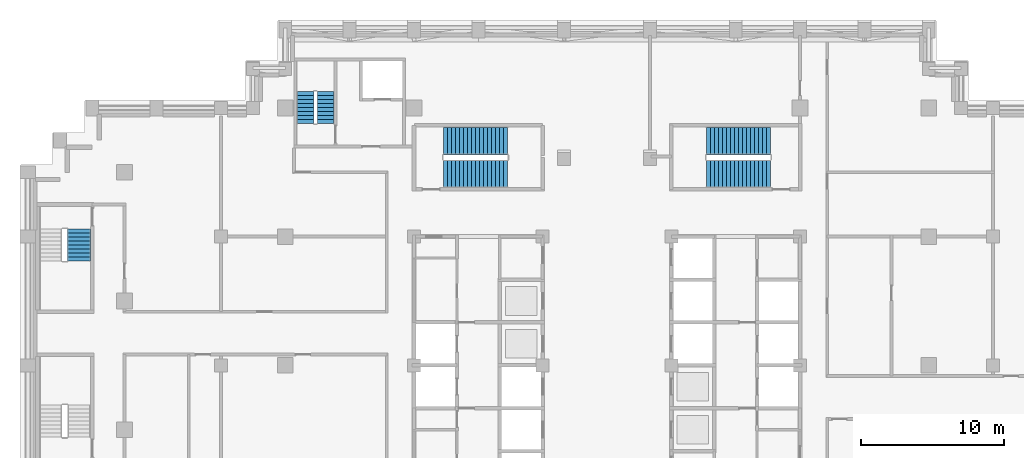
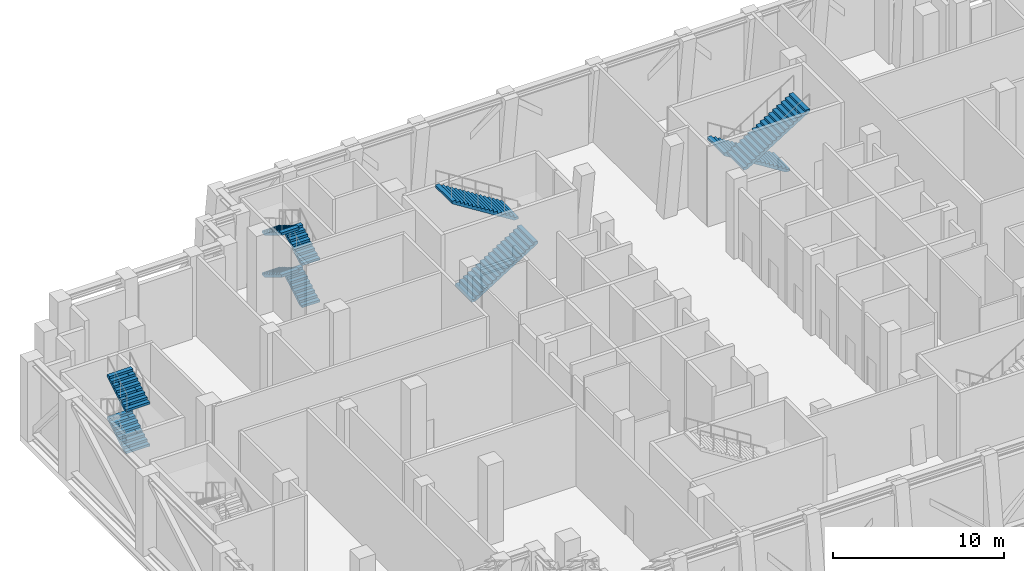
# One storey, part 10 of 14: 10 stair flights, 4 elements without a shape of their own.
"""IFC4 building model written with IfcOpenShell, lengths in metres."""

import ifcopenshell
import ifcopenshell.guid

model = None  # the IFC model being written
_history = None  # IfcOwnerHistory: only IFC2X3 demands one
_inside = {}  # id of a spatial element -> (the spatial element, [elements in it])
_under = {}  # id of a project, library or spatial element -> (it, [spatial elements below it])
_declared = {}  # id of a project -> (the project, [libraries it declares])
_typed = {}  # id of a type object -> (the type object, [elements of that type])
_made_of = {}  # id of a material, layer set ... -> (it, [elements and type objects made of it])


def new_model(schema):
    """Start an empty IFC model of exactly this schema.

    Asked for "IFC4X3", IfcOpenShell would pick the latest addendum, in which some entities
    have other attributes; the version numbers below select the first issue.
    IFC2X3 requires an IfcOwnerHistory on every rooted entity: one is made here for all.
    """
    global model, _history
    if schema == "IFC4X3":
        model = ifcopenshell.file(schema_version=(4, 3, 0, 0))
    else:
        model = ifcopenshell.file(schema=schema)
    _inside.clear()
    _under.clear()
    _declared.clear()
    _typed.clear()
    _made_of.clear()
    _history = None
    if model.schema == "IFC2X3":
        org = make("IfcOrganization", Name="unknown")
        user = make(
            "IfcPersonAndOrganization",
            ThePerson=make("IfcPerson", FamilyName="unknown"),
            TheOrganization=org,
        )
        app = make(
            "IfcApplication",
            ApplicationDeveloper=org,
            Version="unknown",
            ApplicationFullName="unknown",
            ApplicationIdentifier="unknown",
        )
        _history = make(
            "IfcOwnerHistory",
            OwningUser=user,
            OwningApplication=app,
            ChangeAction="ADDED",
            CreationDate=0,
        )
    return model


def make(cls, **values):
    """One entity of the class cls with the attributes given. An attribute that is None is left unset."""
    return model.create_entity(
        cls, **{name: value for name, value in values.items() if value is not None}
    )


def rooted(cls, **values):
    """An entity with a GlobalId (a new one), such as an element, a storey or a relation."""
    return make(cls, GlobalId=ifcopenshell.guid.new(), OwnerHistory=_history, **values)


def si_unit(unit_type, name, prefix=None):
    """IfcSIUnit, for example si_unit("LENGTHUNIT", "METRE", prefix="MILLI")."""
    return make("IfcSIUnit", UnitType=unit_type, Prefix=prefix, Name=name)


def assignment(units):
    """IfcUnitAssignment: the units of a project."""
    return None if units is None else make("IfcUnitAssignment", Units=units)


def point(xyz):
    """IfcCartesianPoint."""
    return None if xyz is None else make("IfcCartesianPoint", Coordinates=xyz)


def direction(xyz):
    """IfcDirection."""
    return None if xyz is None else make("IfcDirection", DirectionRatios=xyz)


def frame(location, z_axis=None, x_axis=None):
    """IfcAxis2Placement3D, a coordinate frame: its origin and axes. An axis left out is left unset."""
    return make(
        "IfcAxis2Placement3D",
        Location=point(location),
        Axis=direction(z_axis),
        RefDirection=direction(x_axis),
    )


def origin():
    """The frame at (0, 0, 0) with its axes left unset."""
    return frame((0.0, 0.0, 0.0))


def place(relative_to, where):
    """IfcLocalPlacement: puts the frame where relative to a parent placement (None: the world)."""
    return make(
        "IfcLocalPlacement", PlacementRelTo=relative_to, RelativePlacement=where
    )


def context(
    kind, dimensions, precision=None, world=None, true_north=None, identifier=None
):
    """IfcGeometricRepresentationContext, for example the 3D "Model" context."""
    return make(
        "IfcGeometricRepresentationContext",
        ContextIdentifier=identifier,
        ContextType=kind,
        CoordinateSpaceDimension=dimensions,
        Precision=precision,
        WorldCoordinateSystem=world,
        TrueNorth=true_north,
    )


def subcontext(parent, identifier, kind, view, scale=None):
    """IfcGeometricRepresentationSubContext, for example "Body" below "Model"."""
    return make(
        "IfcGeometricRepresentationSubContext",
        ContextIdentifier=identifier,
        ContextType=kind,
        ParentContext=parent,
        TargetScale=scale,
        TargetView=view,
    )


def project(units=None, contexts=None):
    """IfcProject with its units and contexts."""
    return rooted(
        "IfcProject",
        Name="project",
        RepresentationContexts=contexts,
        UnitsInContext=assignment(units),
    )


def spatial(cls, under=None, at=None, **own):
    """A site, building, storey or space (cls), placed at a placement, below another one or the project."""
    s = rooted(cls, ObjectPlacement=at, **own)
    if under is not None:
        _under.setdefault(under.id(), (under, []))[1].append(s)
    return s


def polyline(points):
    """IfcPolyline through the points."""
    return make("IfcPolyline", Points=[point(p) for p in points])


def outline(outer, holes=None, kind="AREA"):
    """IfcArbitraryClosedProfileDef: a profile drawn as a closed curve; with holes, ...WithVoids."""
    if holes is None:
        return make("IfcArbitraryClosedProfileDef", ProfileType=kind, OuterCurve=outer)
    return make(
        "IfcArbitraryProfileDefWithVoids",
        ProfileType=kind,
        OuterCurve=outer,
        InnerCurves=holes,
    )


def extrude(swept, where, along, depth):
    """IfcExtrudedAreaSolid: the profile swept, set in the frame where, extruded along a direction by depth."""
    return make(
        "IfcExtrudedAreaSolid",
        SweptArea=swept,
        Position=where,
        ExtrudedDirection=direction(along),
        Depth=depth,
    )


def shape(context_of_items, identifier, shape_type, items):
    """IfcShapeRepresentation: the items that make up one representation, for example the "Body"."""
    return make(
        "IfcShapeRepresentation",
        ContextOfItems=context_of_items,
        RepresentationIdentifier=identifier,
        RepresentationType=shape_type,
        Items=items,
    )


def material(Name=None, Category=None):
    """IfcMaterial."""
    return make("IfcMaterial", Name=Name, Category=Category)


def made_of(thing, what):
    """Note that an element or type object is made of a material, layer set ...; save() writes the relation."""
    if what is not None:
        _made_of.setdefault(what.id(), (what, []))[1].append(thing)
    return thing


def type_object(cls, material=None, **own):
    """A type object (cls), such as IfcWallType, which elements share."""
    return made_of(rooted(cls, **own), material)


def element(
    cls,
    number,
    at=None,
    inside=None,
    cuts=None,
    type_object=None,
    material=None,
    context=None,
    identifier="Body",
    shape_type=None,
    held_by="IfcProductDefinitionShape",
    body=None,
    shapes=None,
    **own,
):
    """One element of the class cls, such as IfcWall. Its Tag is "e" and its number.

    at: its placement. inside: the storey or other place that contains it. cuts: it is an
    opening in that element (IfcRelVoidsElement). A single representation is given by context,
    identifier, shape_type and body (its items); several are given by shapes. held_by: the class
    of the entity that holds the representations. save() writes the other relations.
    """
    e = rooted(cls, Tag="e%d" % number, ObjectPlacement=at, **own)
    if body is not None:
        shapes = [shape(context, identifier, shape_type, body)]
    if shapes is not None:
        e.Representation = make(held_by, Representations=shapes)
    if inside is not None:
        _inside.setdefault(inside.id(), (inside, []))[1].append(e)
    if cuts is not None:
        rooted(
            "IfcRelVoidsElement", RelatingBuildingElement=cuts, RelatedOpeningElement=e
        )
    if type_object is not None:
        _typed.setdefault(type_object.id(), (type_object, []))[1].append(e)
    return made_of(e, material)


def aggregate(whole, parts):
    """IfcRelAggregates: a whole, such as a stair, and the parts it consists of."""
    return rooted("IfcRelAggregates", RelatingObject=whole, RelatedObjects=parts)


def save(model, path):
    """Write the relations noted so far, then the file.

    IfcRelAggregates (storeys below a building ...), IfcRelContainedInSpatialStructure (elements
    in a storey), IfcRelDefinesByType, IfcRelAssociatesMaterial and IfcRelDeclares: one each for
    every whole, place, type object, material and project.
    """
    for whole, parts in _under.values():
        aggregate(whole, parts)
    for where, things in _inside.values():
        rooted(
            "IfcRelContainedInSpatialStructure",
            RelatedElements=things,
            RelatingStructure=where,
        )
    for kind, things in _typed.values():
        rooted("IfcRelDefinesByType", RelatedObjects=things, RelatingType=kind)
    for what, things in _made_of.values():
        rooted("IfcRelAssociatesMaterial", RelatedObjects=things, RelatingMaterial=what)
    for by, libraries in _declared.values():
        rooted("IfcRelDeclares", RelatingContext=by, RelatedDefinitions=libraries)
    model.write(path)


model = new_model("IFC4")

# Units and contexts
model_context = context("Model", 3, precision=1e-05, world=origin(), true_north=direction((0.0, 1.0)))
body_context = subcontext(model_context, "Body", "Model", "MODEL_VIEW")
ifc_project = project(units=[si_unit("LENGTHUNIT", "METRE"), si_unit("AREAUNIT", "SQUARE_METRE"), si_unit("VOLUMEUNIT", "CUBIC_METRE"), si_unit("PLANEANGLEUNIT", "RADIAN"), si_unit("MASSUNIT", "GRAM", prefix="KILO")], contexts=[model_context])

# Site, building, storey
site_placement = place(None, origin())
site = spatial("IfcSite", under=ifc_project, at=site_placement, CompositionType="ELEMENT")
building_placement = place(site_placement, origin())
building = spatial("IfcBuilding", under=site, at=building_placement, Name="Corbelhall Arena Tower", CompositionType="ELEMENT")
storey_placement = place(building_placement, frame((0.0, 0.0, 178.0)))
storey = spatial("IfcBuildingStorey", under=building, at=storey_placement, Name="L36", CompositionType="ELEMENT", Elevation=178.0)

# Stair, stair flights
ifc_material = material(Name="Concrete C40/50", Category="concrete")
stair_type = type_object("IfcStairType", Name="IN-ST-TOWER", PredefinedType="HALF_TURN_STAIR", material=ifc_material)
stair_1_placement = place(storey_placement, origin())
stair_1 = element("IfcStair", 1, at=stair_1_placement, inside=storey, type_object=stair_type, Name="L36 Exit stair ST1", PredefinedType="HALF_TURN_STAIR")
stair_flight_type = type_object("IfcStairFlightType", Name="IN-SFL-RC", PredefinedType="STRAIGHT", material=ifc_material)
stair_flight_1_placement = place(storey_placement, frame((-11.425048828125, 13.39990234375, 0.0), z_axis=(0.0, 0.0, 1.0), x_axis=(1.0, 0.0, 0.0)))
stair_flight_1 = element("IfcStairFlight", 2, at=stair_flight_1_placement, type_object=stair_flight_type, Name="ST1 flight 1", NumberOfRisers=17, NumberOfTreads=16, PredefinedType="STRAIGHT", RiserHeight=0.176470588, TreadLength=0.28, context=body_context, shape_type="SweptSolid", body=[
    extrude(outline(polyline([(0.0, 0.0), (0.0, 0.176513671875), (0.280029296875, 0.176513671875), (0.280029296875, 0.35302734375), (0.56005859375, 0.35302734375), (0.56005859375, 0.529296875), (0.840087890625, 0.529296875), (0.840087890625, 0.705810546875), (1.1201171875, 0.705810546875), (1.1201171875, 0.88232421875), (1.39990234375, 0.88232421875), (1.39990234375, 1.058837890625), (1.679931640625, 1.058837890625), (1.679931640625, 1.2353515625), (1.9599609375, 1.2353515625), (1.9599609375, 1.411865234375), (2.239990234375, 1.411865234375), (2.239990234375, 1.588134765625), (2.52001953125, 1.588134765625), (2.52001953125, 1.7646484375), (2.800048828125, 1.7646484375), (2.800048828125, 1.941162109375), (3.080078125, 1.941162109375), (3.080078125, 2.11767578125), (3.360107421875, 2.11767578125), (3.360107421875, 2.294189453125), (3.639892578125, 2.294189453125), (3.639892578125, 2.470703125), (3.919921875, 2.470703125), (3.919921875, 2.64697265625), (4.199951171875, 2.64697265625), (4.199951171875, 2.823486328125), (4.47998046875, 2.823486328125), (4.47998046875, 3.0), (4.47998046875, 2.646240234375), (0.28125, 0.0), (0.0, 0.0)])), frame((0.0, 0.97509765625, 0.0), z_axis=(0.0, -1.0, 0.0), x_axis=(1.0, 0.0, 0.0)), (0.0, 0.0, 1.0), 1.949951171875),
])
stair_flight_2_placement = place(storey_placement, frame((-6.945068359375, 15.699951171875, 3.0), z_axis=(0.0, 0.0, 1.0), x_axis=(-1.0, 0.0, 0.0)))
stair_flight_2 = element("IfcStairFlight", 3, at=stair_flight_2_placement, type_object=stair_flight_type, Name="ST1 flight 2", NumberOfRisers=17, NumberOfTreads=16, PredefinedType="STRAIGHT", RiserHeight=0.176470588, TreadLength=0.28, context=body_context, shape_type="SweptSolid", body=[
    extrude(outline(polyline([(0.0, 0.0), (0.0, 0.176513671875), (0.280029296875, 0.176513671875), (0.280029296875, 0.35302734375), (0.56005859375, 0.35302734375), (0.56005859375, 0.529296875), (0.840087890625, 0.529296875), (0.840087890625, 0.705810546875), (1.1201171875, 0.705810546875), (1.1201171875, 0.88232421875), (1.39990234375, 0.88232421875), (1.39990234375, 1.058837890625), (1.679931640625, 1.058837890625), (1.679931640625, 1.2353515625), (1.9599609375, 1.2353515625), (1.9599609375, 1.411865234375), (2.239990234375, 1.411865234375), (2.239990234375, 1.588134765625), (2.52001953125, 1.588134765625), (2.52001953125, 1.7646484375), (2.800048828125, 1.7646484375), (2.800048828125, 1.941162109375), (3.080078125, 1.941162109375), (3.080078125, 2.11767578125), (3.360107421875, 2.11767578125), (3.360107421875, 2.294189453125), (3.639892578125, 2.294189453125), (3.639892578125, 2.470703125), (3.919921875, 2.470703125), (3.919921875, 2.64697265625), (4.199951171875, 2.64697265625), (4.199951171875, 2.823486328125), (4.47998046875, 2.823486328125), (4.47998046875, 3.0), (4.47998046875, 2.646240234375), (0.28125, 0.0), (0.0, 0.0)])), frame((0.0, 0.97509765625, 0.0), z_axis=(0.0, -1.0, 0.0), x_axis=(1.0, 0.0, 0.0)), (0.0, 0.0, 1.0), 1.949951171875),
])
aggregate(stair_1, [stair_flight_1, stair_flight_2])

stair_2_placement = place(storey_placement, origin())
stair_2 = element("IfcStair", 4, at=stair_2_placement, inside=storey, type_object=stair_type, Name="L36 Exit stair ST3", PredefinedType="HALF_TURN_STAIR")
stair_flight_3_placement = place(storey_placement, frame((11.425048828125, 15.699951171875, 0.0), z_axis=(0.0, 0.0, 1.0), x_axis=(-1.0, 0.0, 0.0)))
stair_flight_3 = element("IfcStairFlight", 5, at=stair_flight_3_placement, type_object=stair_flight_type, Name="ST3 flight 1", NumberOfRisers=17, NumberOfTreads=16, PredefinedType="STRAIGHT", RiserHeight=0.176470588, TreadLength=0.28, context=body_context, shape_type="SweptSolid", body=[
    extrude(outline(polyline([(0.0, 0.0), (0.0, 0.176513671875), (0.280029296875, 0.176513671875), (0.280029296875, 0.35302734375), (0.56005859375, 0.35302734375), (0.56005859375, 0.529296875), (0.840087890625, 0.529296875), (0.840087890625, 0.705810546875), (1.1201171875, 0.705810546875), (1.1201171875, 0.88232421875), (1.39990234375, 0.88232421875), (1.39990234375, 1.058837890625), (1.679931640625, 1.058837890625), (1.679931640625, 1.2353515625), (1.9599609375, 1.2353515625), (1.9599609375, 1.411865234375), (2.239990234375, 1.411865234375), (2.239990234375, 1.588134765625), (2.52001953125, 1.588134765625), (2.52001953125, 1.7646484375), (2.800048828125, 1.7646484375), (2.800048828125, 1.941162109375), (3.080078125, 1.941162109375), (3.080078125, 2.11767578125), (3.360107421875, 2.11767578125), (3.360107421875, 2.294189453125), (3.639892578125, 2.294189453125), (3.639892578125, 2.470703125), (3.919921875, 2.470703125), (3.919921875, 2.64697265625), (4.199951171875, 2.64697265625), (4.199951171875, 2.823486328125), (4.47998046875, 2.823486328125), (4.47998046875, 3.0), (4.47998046875, 2.646240234375), (0.28125, 0.0), (0.0, 0.0)])), frame((0.0, 0.97509765625, 0.0), z_axis=(0.0, -1.0, 0.0), x_axis=(1.0, 0.0, 0.0)), (0.0, 0.0, 1.0), 1.949951171875),
])
stair_flight_4_placement = place(storey_placement, frame((6.945068359375, 13.39990234375, 3.0), z_axis=(0.0, 0.0, 1.0), x_axis=(1.0, 0.0, 0.0)))
stair_flight_4 = element("IfcStairFlight", 6, at=stair_flight_4_placement, type_object=stair_flight_type, Name="ST3 flight 2", NumberOfRisers=17, NumberOfTreads=16, PredefinedType="STRAIGHT", RiserHeight=0.176470588, TreadLength=0.28, context=body_context, shape_type="SweptSolid", body=[
    extrude(outline(polyline([(0.0, 0.0), (0.0, 0.176513671875), (0.280029296875, 0.176513671875), (0.280029296875, 0.35302734375), (0.56005859375, 0.35302734375), (0.56005859375, 0.529296875), (0.840087890625, 0.529296875), (0.840087890625, 0.705810546875), (1.1201171875, 0.705810546875), (1.1201171875, 0.88232421875), (1.39990234375, 0.88232421875), (1.39990234375, 1.058837890625), (1.679931640625, 1.058837890625), (1.679931640625, 1.2353515625), (1.9599609375, 1.2353515625), (1.9599609375, 1.411865234375), (2.239990234375, 1.411865234375), (2.239990234375, 1.588134765625), (2.52001953125, 1.588134765625), (2.52001953125, 1.7646484375), (2.800048828125, 1.7646484375), (2.800048828125, 1.941162109375), (3.080078125, 1.941162109375), (3.080078125, 2.11767578125), (3.360107421875, 2.11767578125), (3.360107421875, 2.294189453125), (3.639892578125, 2.294189453125), (3.639892578125, 2.470703125), (3.919921875, 2.470703125), (3.919921875, 2.64697265625), (4.199951171875, 2.64697265625), (4.199951171875, 2.823486328125), (4.47998046875, 2.823486328125), (4.47998046875, 3.0), (4.47998046875, 2.646240234375), (0.28125, 0.0), (0.0, 0.0)])), frame((0.0, 0.97509765625, 0.0), z_axis=(0.0, -1.0, 0.0), x_axis=(1.0, 0.0, 0.0)), (0.0, 0.0, 1.0), 1.949951171875),
])
aggregate(stair_2, [stair_flight_3, stair_flight_4])

stair_3_placement = place(storey_placement, origin())
stair_3 = element("IfcStair", 7, at=stair_3_placement, inside=storey, type_object=stair_type, Name="L36 Exit stair SC1", PredefinedType="HALF_TURN_STAIR")
stair_flight_5_placement = place(storey_placement, frame((-36.925048828125, 7.284912109375, 1.5), z_axis=(0.0, 0.0, 1.0), x_axis=(0.0, 1.0, 0.0)))
stair_flight_5 = element("IfcStairFlight", 8, at=stair_flight_5_placement, type_object=stair_flight_type, Name="SC1 flight 2", NumberOfRisers=9, NumberOfTreads=8, PredefinedType="STRAIGHT", RiserHeight=0.166666667, TreadLength=0.28, context=body_context, shape_type="SweptSolid", body=[
    extrude(outline(polyline([(0.0, 0.0), (0.0, 0.166748046875), (0.280029296875, 0.166748046875), (0.280029296875, 0.333251953125), (0.56005859375, 0.333251953125), (0.56005859375, 0.5), (0.840087890625, 0.5), (0.840087890625, 0.666748046875), (1.1201171875, 0.666748046875), (1.1201171875, 0.833251953125), (1.39990234375, 0.833251953125), (1.39990234375, 1.0), (1.679931640625, 1.0), (1.679931640625, 1.166748046875), (1.9599609375, 1.166748046875), (1.9599609375, 1.333251953125), (2.239990234375, 1.333251953125), (2.239990234375, 1.5), (2.239990234375, 1.158935546875), (0.29296875, 0.0), (0.0, 0.0)])), frame((0.0, 0.800048828125, 0.0), z_axis=(0.0, -1.0, 0.0), x_axis=(1.0, 0.0, 0.0)), (0.0, 0.0, 1.0), 0.39990234375),
    extrude(outline(polyline([(0.0, 0.0), (0.0, 0.166748046875), (0.280029296875, 0.166748046875), (0.280029296875, 0.333251953125), (0.56005859375, 0.333251953125), (0.56005859375, 0.5), (0.840087890625, 0.5), (0.840087890625, 0.666748046875), (1.1201171875, 0.666748046875), (1.1201171875, 0.833251953125), (1.39990234375, 0.833251953125), (1.39990234375, 1.0), (1.679931640625, 1.0), (1.679931640625, 1.166748046875), (1.9599609375, 1.166748046875), (1.9599609375, 1.333251953125), (2.239990234375, 1.333251953125), (2.239990234375, 1.5), (2.239990234375, 1.158935546875), (0.29296875, 0.0), (0.0, 0.0)])), frame((0.0, 0.39599609375, 0.0), z_axis=(0.0, -1.0, 0.0), x_axis=(1.0, 0.0, 0.0)), (0.0, 0.0, 1.0), 0.7919921875),
    extrude(outline(polyline([(0.0, 0.0), (0.0, 0.166748046875), (0.280029296875, 0.166748046875), (0.280029296875, 0.333251953125), (0.56005859375, 0.333251953125), (0.56005859375, 0.5), (0.840087890625, 0.5), (0.840087890625, 0.666748046875), (1.1201171875, 0.666748046875), (1.1201171875, 0.833251953125), (1.39990234375, 0.833251953125), (1.39990234375, 1.0), (1.679931640625, 1.0), (1.679931640625, 1.166748046875), (1.9599609375, 1.166748046875), (1.9599609375, 1.333251953125), (2.239990234375, 1.333251953125), (2.239990234375, 1.5), (2.239990234375, 1.158935546875), (0.29296875, 0.0), (0.0, 0.0)])), frame((0.0, -0.39990234375, 0.0), z_axis=(0.0, -1.0, 0.0), x_axis=(1.0, 0.0, 0.0)), (0.0, 0.0, 1.0), 0.39990234375),
])
stair_flight_6_placement = place(storey_placement, frame((-36.925048828125, 7.284912109375, 4.5), z_axis=(0.0, 0.0, 1.0), x_axis=(0.0, 1.0, 0.0)))
stair_flight_6 = element("IfcStairFlight", 9, at=stair_flight_6_placement, type_object=stair_flight_type, Name="SC1 flight 4", NumberOfRisers=9, NumberOfTreads=8, PredefinedType="STRAIGHT", RiserHeight=0.166666667, TreadLength=0.28, context=body_context, shape_type="SweptSolid", body=[
    extrude(outline(polyline([(0.0, 0.0), (0.0, 0.166748046875), (0.280029296875, 0.166748046875), (0.280029296875, 0.333251953125), (0.56005859375, 0.333251953125), (0.56005859375, 0.5), (0.840087890625, 0.5), (0.840087890625, 0.666748046875), (1.1201171875, 0.666748046875), (1.1201171875, 0.833251953125), (1.39990234375, 0.833251953125), (1.39990234375, 1.0), (1.679931640625, 1.0), (1.679931640625, 1.166748046875), (1.9599609375, 1.166748046875), (1.9599609375, 1.333251953125), (2.239990234375, 1.333251953125), (2.239990234375, 1.5), (2.239990234375, 1.158935546875), (0.29296875, 0.0), (0.0, 0.0)])), frame((0.0, 0.800048828125, 0.0), z_axis=(0.0, -1.0, 0.0), x_axis=(1.0, 0.0, 0.0)), (0.0, 0.0, 1.0), 0.39990234375),
    extrude(outline(polyline([(0.0, 0.0), (0.0, 0.166748046875), (0.280029296875, 0.166748046875), (0.280029296875, 0.333251953125), (0.56005859375, 0.333251953125), (0.56005859375, 0.5), (0.840087890625, 0.5), (0.840087890625, 0.666748046875), (1.1201171875, 0.666748046875), (1.1201171875, 0.833251953125), (1.39990234375, 0.833251953125), (1.39990234375, 1.0), (1.679931640625, 1.0), (1.679931640625, 1.166748046875), (1.9599609375, 1.166748046875), (1.9599609375, 1.333251953125), (2.239990234375, 1.333251953125), (2.239990234375, 1.5), (2.239990234375, 1.158935546875), (0.29296875, 0.0), (0.0, 0.0)])), frame((0.0, 0.39599609375, 0.0), z_axis=(0.0, -1.0, 0.0), x_axis=(1.0, 0.0, 0.0)), (0.0, 0.0, 1.0), 0.7919921875),
    extrude(outline(polyline([(0.0, 0.0), (0.0, 0.166748046875), (0.280029296875, 0.166748046875), (0.280029296875, 0.333251953125), (0.56005859375, 0.333251953125), (0.56005859375, 0.5), (0.840087890625, 0.5), (0.840087890625, 0.666748046875), (1.1201171875, 0.666748046875), (1.1201171875, 0.833251953125), (1.39990234375, 0.833251953125), (1.39990234375, 1.0), (1.679931640625, 1.0), (1.679931640625, 1.166748046875), (1.9599609375, 1.166748046875), (1.9599609375, 1.333251953125), (2.239990234375, 1.333251953125), (2.239990234375, 1.5), (2.239990234375, 1.158935546875), (0.29296875, 0.0), (0.0, 0.0)])), frame((0.0, -0.39990234375, 0.0), z_axis=(0.0, -1.0, 0.0), x_axis=(1.0, 0.0, 0.0)), (0.0, 0.0, 1.0), 0.39990234375),
])
aggregate(stair_3, [stair_flight_5, stair_flight_6])

stair_4_placement = place(storey_placement, origin())
stair_4 = element("IfcStair", 10, at=stair_4_placement, inside=storey, type_object=stair_type, Name="L36 Exit stair ST5", PredefinedType="HALF_TURN_STAIR")
stair_flight_7_placement = place(storey_placement, frame((-19.695068359375, 16.89990234375, 0.0), z_axis=(0.0, 0.0, 1.0), x_axis=(0.0, 1.0, 0.0)))
stair_flight_7 = element("IfcStairFlight", 11, at=stair_flight_7_placement, type_object=stair_flight_type, Name="ST5 flight 1", NumberOfRisers=9, NumberOfTreads=8, PredefinedType="STRAIGHT", RiserHeight=0.166666667, TreadLength=0.28, context=body_context, shape_type="SweptSolid", body=[
    extrude(outline(polyline([(0.0, 0.0), (0.0, 0.166748046875), (0.280029296875, 0.166748046875), (0.280029296875, 0.333251953125), (0.56005859375, 0.333251953125), (0.56005859375, 0.5), (0.840087890625, 0.5), (0.840087890625, 0.666748046875), (1.1201171875, 0.666748046875), (1.1201171875, 0.833251953125), (1.39990234375, 0.833251953125), (1.39990234375, 1.0), (1.679931640625, 1.0), (1.679931640625, 1.166748046875), (1.9599609375, 1.166748046875), (1.9599609375, 1.333251953125), (2.239990234375, 1.333251953125), (2.239990234375, 1.5), (2.239990234375, 1.158935546875), (0.29296875, 0.0), (0.0, 0.0)])), frame((0.0, 0.60009765625, 0.0), z_axis=(0.0, -1.0, 0.0), x_axis=(1.0, 0.0, 0.0)), (0.0, 0.0, 1.0), 1.199951171875),
])
stair_flight_8_placement = place(storey_placement, frame((-21.094970703125, 19.139892578125, 1.5), z_axis=(0.0, 0.0, 1.0), x_axis=(0.0, -1.0, 0.0)))
stair_flight_8 = element("IfcStairFlight", 12, at=stair_flight_8_placement, type_object=stair_flight_type, Name="ST5 flight 2", NumberOfRisers=9, NumberOfTreads=8, PredefinedType="STRAIGHT", RiserHeight=0.166666667, TreadLength=0.28, context=body_context, shape_type="SweptSolid", body=[
    extrude(outline(polyline([(0.0, 0.0), (0.0, 0.166748046875), (0.280029296875, 0.166748046875), (0.280029296875, 0.333251953125), (0.56005859375, 0.333251953125), (0.56005859375, 0.5), (0.840087890625, 0.5), (0.840087890625, 0.666748046875), (1.1201171875, 0.666748046875), (1.1201171875, 0.833251953125), (1.39990234375, 0.833251953125), (1.39990234375, 1.0), (1.679931640625, 1.0), (1.679931640625, 1.166748046875), (1.9599609375, 1.166748046875), (1.9599609375, 1.333251953125), (2.239990234375, 1.333251953125), (2.239990234375, 1.5), (2.239990234375, 1.158935546875), (0.29296875, 0.0), (0.0, 0.0)])), frame((0.0, 0.60009765625, 0.0), z_axis=(0.0, -1.0, 0.0), x_axis=(1.0, 0.0, 0.0)), (0.0, 0.0, 1.0), 1.199951171875),
])
stair_flight_9_placement = place(storey_placement, frame((-19.695068359375, 16.89990234375, 3.0), z_axis=(0.0, 0.0, 1.0), x_axis=(0.0, 1.0, 0.0)))
stair_flight_9 = element("IfcStairFlight", 13, at=stair_flight_9_placement, type_object=stair_flight_type, Name="ST5 flight 3", NumberOfRisers=9, NumberOfTreads=8, PredefinedType="STRAIGHT", RiserHeight=0.166666667, TreadLength=0.28, context=body_context, shape_type="SweptSolid", body=[
    extrude(outline(polyline([(0.0, 0.0), (0.0, 0.166748046875), (0.280029296875, 0.166748046875), (0.280029296875, 0.333251953125), (0.56005859375, 0.333251953125), (0.56005859375, 0.5), (0.840087890625, 0.5), (0.840087890625, 0.666748046875), (1.1201171875, 0.666748046875), (1.1201171875, 0.833251953125), (1.39990234375, 0.833251953125), (1.39990234375, 1.0), (1.679931640625, 1.0), (1.679931640625, 1.166748046875), (1.9599609375, 1.166748046875), (1.9599609375, 1.333251953125), (2.239990234375, 1.333251953125), (2.239990234375, 1.5), (2.239990234375, 1.158935546875), (0.29296875, 0.0), (0.0, 0.0)])), frame((0.0, 0.60009765625, 0.0), z_axis=(0.0, -1.0, 0.0), x_axis=(1.0, 0.0, 0.0)), (0.0, 0.0, 1.0), 1.199951171875),
])
stair_flight_10_placement = place(storey_placement, frame((-21.094970703125, 19.139892578125, 4.5), z_axis=(0.0, 0.0, 1.0), x_axis=(0.0, -1.0, 0.0)))
stair_flight_10 = element("IfcStairFlight", 14, at=stair_flight_10_placement, type_object=stair_flight_type, Name="ST5 flight 4", NumberOfRisers=9, NumberOfTreads=8, PredefinedType="STRAIGHT", RiserHeight=0.166666667, TreadLength=0.28, context=body_context, shape_type="SweptSolid", body=[
    extrude(outline(polyline([(0.0, 0.0), (0.0, 0.166748046875), (0.280029296875, 0.166748046875), (0.280029296875, 0.333251953125), (0.56005859375, 0.333251953125), (0.56005859375, 0.5), (0.840087890625, 0.5), (0.840087890625, 0.666748046875), (1.1201171875, 0.666748046875), (1.1201171875, 0.833251953125), (1.39990234375, 0.833251953125), (1.39990234375, 1.0), (1.679931640625, 1.0), (1.679931640625, 1.166748046875), (1.9599609375, 1.166748046875), (1.9599609375, 1.333251953125), (2.239990234375, 1.333251953125), (2.239990234375, 1.5), (2.239990234375, 1.158935546875), (0.29296875, 0.0), (0.0, 0.0)])), frame((0.0, 0.60009765625, 0.0), z_axis=(0.0, -1.0, 0.0), x_axis=(1.0, 0.0, 0.0)), (0.0, 0.0, 1.0), 1.199951171875),
])
aggregate(stair_4, [stair_flight_7, stair_flight_8, stair_flight_9, stair_flight_10])

save(model, "model.ifc")
